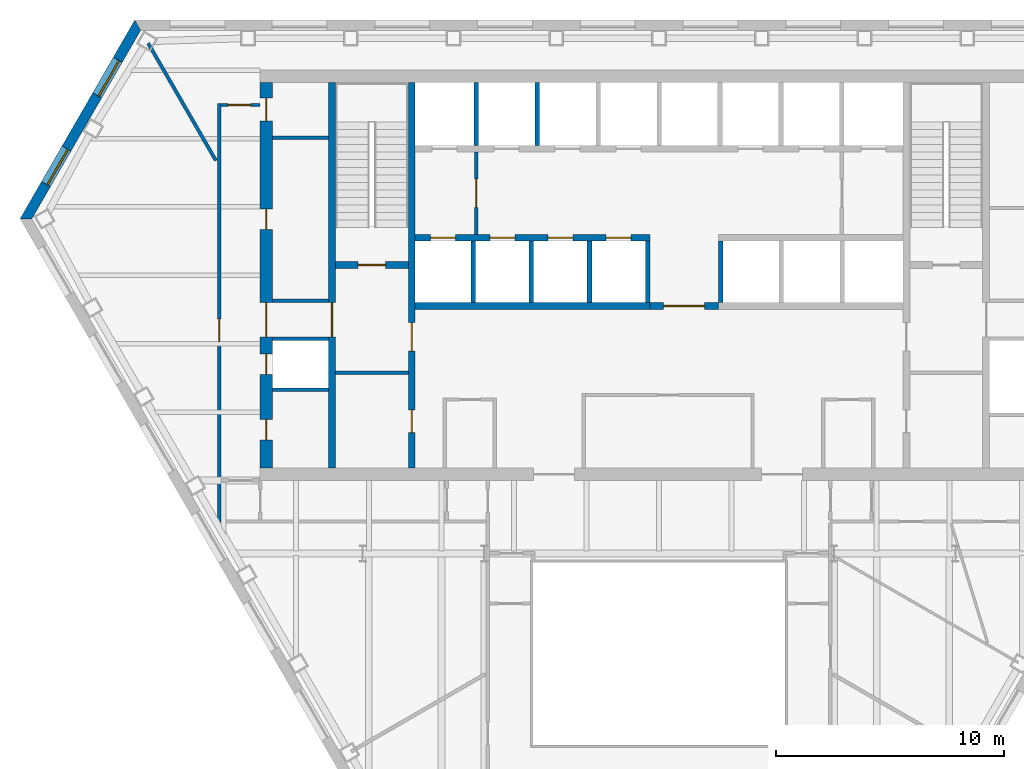
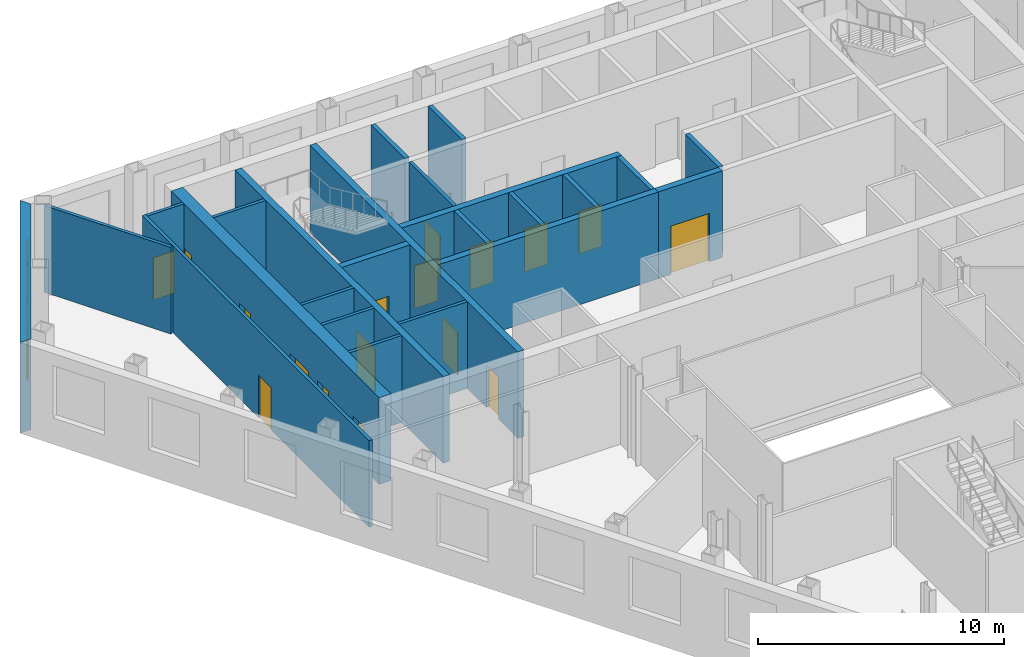
# One storey, part 6 of 11: 24 walls, 17 doors, 2 windows, 19 openings.
"""IFC4 building model written with IfcOpenShell, lengths in metres."""

from ifc_helpers import new_model, si_unit, direction, frame, frame_2d, origin, place, context, subcontext, project, spatial, polyline, rectangle, outline, extrude, material, layer, layer_set, type_object, element, fill, save


model = new_model("IFC4")

# Units and contexts
model_context = context("Model", 3, precision=1e-05, world=origin(), true_north=direction((0.0, 1.0)))
body_context = subcontext(model_context, "Body", "Model", "MODEL_VIEW")
ifc_project = project(units=[si_unit("LENGTHUNIT", "METRE"), si_unit("AREAUNIT", "SQUARE_METRE"), si_unit("VOLUMEUNIT", "CUBIC_METRE"), si_unit("PLANEANGLEUNIT", "RADIAN"), si_unit("MASSUNIT", "GRAM", prefix="KILO")], contexts=[model_context])

# Site, building, storey
site_placement = place(None, origin())
site = spatial("IfcSite", under=ifc_project, at=site_placement, CompositionType="ELEMENT")
building_placement = place(site_placement, origin())
building = spatial("IfcBuilding", under=site, at=building_placement, Name="Njiva Tower", CompositionType="ELEMENT")
storey_placement = place(building_placement, frame((0.0, 0.0, 102.3)))
storey = spatial("IfcBuildingStorey", under=building, at=storey_placement, Name="L21", CompositionType="ELEMENT", Elevation=102.3)

# Walls
ifc_material_1 = material(Name="Blockwork", Category="masonry")
ifc_layer_1 = layer(ifc_material_1, 0.15)
ifc_layer_set_1 = layer_set([ifc_layer_1], Name="Blockwork")
wall_type_1 = type_object("IfcWallType", Name="WT1 Compartment partition 150", PredefinedType="PARTITIONING", material=ifc_layer_set_1)
wall_1_placement = place(storey_placement, frame((-14.2, 4.725, 0.0), z_axis=(0.0, 0.0, 1.0), x_axis=(1.0, 0.0, 0.0)))
element("IfcWall", 1, at=wall_1_placement, inside=storey, type_object=wall_type_1, Name="Room wall A", PredefinedType="PARTITIONING", context=body_context, shape_type="SweptSolid", body=[
    extrude(rectangle(XDim=3.2, YDim=0.15, at=frame_2d((1.6, 0.0))), origin(), (0.0, 0.0, 1.0), 4.3),
])
wall_2_placement = place(storey_placement, frame((-16.95, 15.0294, 0.0), z_axis=(0.0, 0.0, 1.0), x_axis=(1.0, 0.0, 0.0)))
element("IfcWall", 2, at=wall_2_placement, inside=storey, type_object=wall_type_1, Name="Partition strip W10", PredefinedType="PARTITIONING", context=body_context, shape_type="SweptSolid", body=[
    extrude(rectangle(XDim=2.45, YDim=0.15, at=frame_2d((1.225, 0.0))), origin(), (0.0, 0.0, 1.0), 4.3),
])

# Wall, openings, doors
ifc_material_2 = material(Name="Concrete C40/50", Category="concrete")
ifc_layer_2 = layer(ifc_material_2, 0.3)
ifc_layer_set_2 = layer_set([ifc_layer_2], Name="Concrete C40/50")
wall_type_2 = type_object("IfcWallType", Name="WT10 Stair enclosure wall 300", PredefinedType="SHEAR", material=ifc_layer_set_2)
wall_3_placement = place(storey_placement, frame((-10.85, 0.55, 0.0), z_axis=(0.0, 0.0, 1.0), x_axis=(0.0, 1.0, 0.0)))
wall_3 = element("IfcWall", 3, at=wall_3_placement, inside=storey, type_object=wall_type_2, Name="Stair wall west inner", PredefinedType="SHEAR", context=body_context, shape_type="SweptSolid", body=[
    extrude(rectangle(XDim=16.9, YDim=0.3, at=frame_2d((8.45, 0.0))), origin(), (0.0, 0.0, 1.0), 4.3),
])
opening_1_placement = place(wall_3_placement, frame((5.125, 0.0, 0.0)))
opening_1 = element("IfcOpeningElement", 4, at=opening_1_placement, cuts=wall_3, Name="Opening S07-D914", PredefinedType="OPENING", context=body_context, shape_type="SweptSolid", body=[
    extrude(rectangle(XDim=1.25, YDim=2.1, at=frame_2d((0.625, 1.05))), frame((0.0, 0.16, 0.0), z_axis=(0.0, -1.0, 0.0), x_axis=(1.0, 0.0, 0.0)), (0.0, 0.0, 1.0), 0.32),
])
opening_2_placement = place(wall_3_placement, frame((1.55, 0.0, 0.0)))
opening_2 = element("IfcOpeningElement", 5, at=opening_2_placement, cuts=wall_3, Name="Opening S07-D915", PredefinedType="OPENING", context=body_context, shape_type="SweptSolid", body=[
    extrude(rectangle(XDim=1.0, YDim=2.1, at=frame_2d((0.5, 1.05))), frame((0.0, 0.16, 0.0), z_axis=(0.0, -1.0, 0.0), x_axis=(1.0, 0.0, 0.0)), (0.0, 0.0, 1.0), 0.32),
])
ifc_material_3 = material(Name="Steel door, painted", Category="steel")
door_type_1 = type_object("IfcDoorType", Name="D5 Steel door 1000x2100", OperationType="SINGLE_SWING_LEFT", PredefinedType="DOOR", material=ifc_material_3)
door_1_placement = place(opening_2_placement, origin())
door_1 = element("IfcDoor", 6, at=door_1_placement, inside=storey, type_object=door_type_1, Name="Meeting room door", OperationType="SINGLE_SWING_RIGHT", OverallHeight=2.1, OverallWidth=1.0, PredefinedType="DOOR", context=body_context, shape_type="SweptSolid", body=[
    extrude(rectangle(XDim=1.0, YDim=2.1, at=frame_2d((0.5, 1.05))), frame((0.0, 0.025, 0.0), z_axis=(0.0, -1.0, 0.0), x_axis=(1.0, 0.0, 0.0)), (0.0, 0.0, 1.0), 0.05),
])
fill(opening_2, door_1)
ifc_material_4 = material(Name="Glazed steel fire door", Category="steel")
door_type_2 = type_object("IfcDoorType", Name="D8 Vestibule corridor door 1250x2100 glazed", OperationType="SINGLE_SWING_LEFT", PredefinedType="DOOR", material=ifc_material_4)
door_2_placement = place(opening_1_placement, origin())
door_2 = element("IfcDoor", 7, at=door_2_placement, inside=storey, type_object=door_type_2, Name="Stair vestibule corridor door", OperationType="SINGLE_SWING_LEFT", OverallHeight=2.1, OverallWidth=1.25, PredefinedType="DOOR", context=body_context, shape_type="SweptSolid", body=[
    extrude(rectangle(XDim=1.25, YDim=2.1, at=frame_2d((0.625, 1.05))), frame((0.0, 0.025, 0.0), z_axis=(0.0, -1.0, 0.0), x_axis=(1.0, 0.0, 0.0)), (0.0, 0.0, 1.0), 0.05),
])
fill(opening_1, door_2)

# Wall, opening, door
wall_4_placement = place(storey_placement, frame((-14.35, 0.55, 0.0), z_axis=(0.0, 0.0, 1.0), x_axis=(0.0, 1.0, 0.0)))
wall_4 = element("IfcWall", 8, at=wall_4_placement, inside=storey, type_object=wall_type_2, Name="Stair wall west outer", PredefinedType="SHEAR", context=body_context, shape_type="SweptSolid", body=[
    extrude(rectangle(XDim=16.9, YDim=0.3, at=frame_2d((8.45, 0.0))), origin(), (0.0, 0.0, 1.0), 4.3),
])
opening_3_placement = place(wall_4_placement, frame((5.75, 0.0, 0.0)))
opening_3 = element("IfcOpeningElement", 9, at=opening_3_placement, cuts=wall_4, Name="Opening S07-D920", PredefinedType="OPENING", context=body_context, shape_type="SweptSolid", body=[
    extrude(rectangle(XDim=1.5, YDim=2.1, at=frame_2d((0.75, 1.05))), frame((0.0, 0.16, 0.0), z_axis=(0.0, -1.0, 0.0), x_axis=(1.0, 0.0, 0.0)), (0.0, 0.0, 1.0), 0.32),
])
door_type_3 = type_object("IfcDoorType", Name="D10 Exit door double 1500x2100 glazed", OperationType="DOUBLE_DOOR_SINGLE_SWING", PredefinedType="DOOR", material=ifc_material_4)
door_3_placement = place(opening_3_placement, origin())
door_3 = element("IfcDoor", 10, at=door_3_placement, inside=storey, type_object=door_type_3, Name="Stair A passage door", OperationType="DOUBLE_DOOR_SINGLE_SWING", OverallHeight=2.1, OverallWidth=1.5, PredefinedType="DOOR", context=body_context, shape_type="SweptSolid", body=[
    extrude(rectangle(XDim=1.5, YDim=2.1, at=frame_2d((0.75, 1.05))), frame((0.0, 0.025, 0.0), z_axis=(0.0, -1.0, 0.0), x_axis=(1.0, 0.0, 0.0)), (0.0, 0.0, 1.0), 0.05),
])
fill(opening_3, door_3)

wall_5_placement = place(storey_placement, frame((-14.2, 9.45, 0.0), z_axis=(0.0, 0.0, 1.0), x_axis=(1.0, 0.0, 0.0)))
wall_5 = element("IfcWall", 11, at=wall_5_placement, inside=storey, type_object=wall_type_2, Name="Stair A south wall", PredefinedType="SHEAR", context=body_context, shape_type="SweptSolid", body=[
    extrude(rectangle(XDim=3.2, YDim=0.3, at=frame_2d((1.6, 0.0))), origin(), (0.0, 0.0, 1.0), 4.3),
])
opening_4_placement = place(wall_5_placement, frame((1.0, 0.0, 0.0)))
opening_4 = element("IfcOpeningElement", 12, at=opening_4_placement, cuts=wall_5, Name="Opening S07-D913", PredefinedType="OPENING", context=body_context, shape_type="SweptSolid", body=[
    extrude(rectangle(XDim=1.2, YDim=2.1, at=frame_2d((0.6, 1.05))), frame((0.0, 0.16, 0.0), z_axis=(0.0, -1.0, 0.0), x_axis=(1.0, 0.0, 0.0)), (0.0, 0.0, 1.0), 0.32),
])
door_type_4 = type_object("IfcDoorType", Name="D7 Stair vestibule door 1200x2100 glazed", OperationType="SINGLE_SWING_LEFT", PredefinedType="DOOR", material=ifc_material_4)
door_4_placement = place(opening_4_placement, origin())
door_4 = element("IfcDoor", 13, at=door_4_placement, inside=storey, type_object=door_type_4, Name="Stair A door", OperationType="SINGLE_SWING_LEFT", OverallHeight=2.1, OverallWidth=1.2, PredefinedType="DOOR", context=body_context, shape_type="SweptSolid", body=[
    extrude(rectangle(XDim=1.2, YDim=2.1, at=frame_2d((0.6, 1.05))), frame((0.0, 0.025, 0.0), z_axis=(0.0, -1.0, 0.0), x_axis=(1.0, 0.0, 0.0)), (0.0, 0.0, 1.0), 0.05),
])
fill(opening_4, door_4)

# Wall, openings, doors
ifc_material_5 = material(Name="Concrete C60/75", Category="concrete")
ifc_layer_3 = layer(ifc_material_5, 0.55)
ifc_layer_set_3 = layer_set([ifc_layer_3], Name="Concrete C60/75")
wall_type_3 = type_object("IfcWallType", Name="WT14 Core wall 550", PredefinedType="SHEAR", material=ifc_layer_set_3)
wall_6_placement = place(storey_placement, frame((-17.225, 0.55, 0.0), z_axis=(0.0, 0.0, 1.0), x_axis=(0.0, 1.0, 0.0)))
wall_6 = element("IfcWall", 14, at=wall_6_placement, inside=storey, type_object=wall_type_3, Name="Core wall west", PredefinedType="SHEAR", context=body_context, shape_type="SweptSolid", body=[
    extrude(rectangle(XDim=16.9, YDim=0.55, at=frame_2d((8.45, 0.0))), origin(), (0.0, 0.0, 1.0), 4.3),
])
opening_5_placement = place(wall_6_placement, frame((5.75, 0.0, 0.0)))
opening_5 = element("IfcOpeningElement", 15, at=opening_5_placement, cuts=wall_6, Name="Opening S07-D921", PredefinedType="OPENING", context=body_context, shape_type="SweptSolid", body=[
    extrude(rectangle(XDim=1.5, YDim=2.1, at=frame_2d((0.75, 1.05))), frame((0.0, 0.285, 0.0), z_axis=(0.0, -1.0, 0.0), x_axis=(1.0, 0.0, 0.0)), (0.0, 0.0, 1.0), 0.57),
])
opening_6_placement = place(wall_6_placement, frame((1.2299, 0.0, 0.0)))
opening_6 = element("IfcOpeningElement", 16, at=opening_6_placement, cuts=wall_6, Name="Opening S07-D922", PredefinedType="OPENING", context=body_context, shape_type="SweptSolid", body=[
    extrude(rectangle(XDim=0.9, YDim=2.1, at=frame_2d((0.45, 1.05))), frame((0.0, 0.285, 0.0), z_axis=(0.0, -1.0, 0.0), x_axis=(1.0, 0.0, 0.0)), (0.0, 0.0, 1.0), 0.57),
])
opening_7_placement = place(wall_6_placement, frame((4.1049, 0.0, 0.0)))
opening_7 = element("IfcOpeningElement", 17, at=opening_7_placement, cuts=wall_6, Name="Opening S07-D923", PredefinedType="OPENING", context=body_context, shape_type="SweptSolid", body=[
    extrude(rectangle(XDim=0.9, YDim=2.1, at=frame_2d((0.45, 1.05))), frame((0.0, 0.285, 0.0), z_axis=(0.0, -1.0, 0.0), x_axis=(1.0, 0.0, 0.0)), (0.0, 0.0, 1.0), 0.57),
])
opening_8_placement = place(wall_6_placement, frame((10.4522, 0.0, 0.0)))
opening_8 = element("IfcOpeningElement", 18, at=opening_8_placement, cuts=wall_6, Name="Opening S07-D924", PredefinedType="OPENING", context=body_context, shape_type="SweptSolid", body=[
    extrude(rectangle(XDim=0.9, YDim=2.1, at=frame_2d((0.45, 1.05))), frame((0.0, 0.285, 0.0), z_axis=(0.0, -1.0, 0.0), x_axis=(1.0, 0.0, 0.0)), (0.0, 0.0, 1.0), 0.57),
])
opening_9_placement = place(wall_6_placement, frame((15.2272, 0.0, 0.0)))
opening_9 = element("IfcOpeningElement", 19, at=opening_9_placement, cuts=wall_6, Name="Opening S07-D925", PredefinedType="OPENING", context=body_context, shape_type="SweptSolid", body=[
    extrude(rectangle(XDim=1.0, YDim=2.1, at=frame_2d((0.5, 1.05))), frame((0.0, 0.285, 0.0), z_axis=(0.0, -1.0, 0.0), x_axis=(1.0, 0.0, 0.0)), (0.0, 0.0, 1.0), 0.57),
])
door_5_placement = place(opening_5_placement, origin())
door_5 = element("IfcDoor", 20, at=door_5_placement, inside=storey, type_object=door_type_3, Name="Stair A corridor door", OperationType="DOUBLE_DOOR_SINGLE_SWING", OverallHeight=2.1, OverallWidth=1.5, PredefinedType="DOOR", context=body_context, shape_type="SweptSolid", body=[
    extrude(rectangle(XDim=1.5, YDim=2.1, at=frame_2d((0.75, 1.05))), frame((0.0, 0.025, 0.0), z_axis=(0.0, -1.0, 0.0), x_axis=(1.0, 0.0, 0.0)), (0.0, 0.0, 1.0), 0.05),
])
fill(opening_5, door_5)
door_type_5 = type_object("IfcDoorType", Name="D4 Riser door 900x2100", OperationType="SINGLE_SWING_LEFT", PredefinedType="DOOR", material=ifc_material_3)
door_6_placement = place(opening_7_placement, origin())
door_6 = element("IfcDoor", 21, at=door_6_placement, inside=storey, type_object=door_type_5, Name="Riser door", OperationType="SINGLE_SWING_RIGHT", OverallHeight=2.1, OverallWidth=0.9, PredefinedType="DOOR", context=body_context, shape_type="SweptSolid", body=[
    extrude(rectangle(XDim=0.9, YDim=2.1, at=frame_2d((0.45, 1.05))), frame((0.0, 0.025, 0.0), z_axis=(0.0, -1.0, 0.0), x_axis=(1.0, 0.0, 0.0)), (0.0, 0.0, 1.0), 0.05),
])
fill(opening_7, door_6)
door_7_placement = place(opening_9_placement, origin())
door_7 = element("IfcDoor", 22, at=door_7_placement, inside=storey, type_object=door_type_1, Name="Electrical room door", OperationType="SINGLE_SWING_RIGHT", OverallHeight=2.1, OverallWidth=1.0, PredefinedType="DOOR", context=body_context, shape_type="SweptSolid", body=[
    extrude(rectangle(XDim=1.0, YDim=2.1, at=frame_2d((0.5, 1.05))), frame((0.0, 0.025, 0.0), z_axis=(0.0, -1.0, 0.0), x_axis=(1.0, 0.0, 0.0)), (0.0, 0.0, 1.0), 0.05),
])
fill(opening_9, door_7)
ifc_material_6 = material(Name="Steel fire door, painted", Category="steel")
door_type_6 = type_object("IfcDoorType", Name="D6 Fire-rated door 900x2100", OperationType="SINGLE_SWING_LEFT", PredefinedType="DOOR", material=ifc_material_6)
door_8_placement = place(opening_6_placement, origin())
door_8 = element("IfcDoor", 23, at=door_8_placement, inside=storey, type_object=door_type_6, Name="Business centre door", OperationType="SINGLE_SWING_LEFT", OverallHeight=2.1, OverallWidth=0.9, PredefinedType="DOOR", context=body_context, shape_type="SweptSolid", body=[
    extrude(rectangle(XDim=0.9, YDim=2.1, at=frame_2d((0.45, 1.05))), frame((0.0, 0.025, 0.0), z_axis=(0.0, -1.0, 0.0), x_axis=(1.0, 0.0, 0.0)), (0.0, 0.0, 1.0), 0.05),
])
fill(opening_6, door_8)
door_9_placement = place(opening_8_placement, origin())
door_9 = element("IfcDoor", 24, at=door_9_placement, inside=storey, type_object=door_type_6, Name="Meeting room door", OperationType="SINGLE_SWING_RIGHT", OverallHeight=2.1, OverallWidth=0.9, PredefinedType="DOOR", context=body_context, shape_type="SweptSolid", body=[
    extrude(rectangle(XDim=0.9, YDim=2.1, at=frame_2d((0.45, 1.05))), frame((0.0, 0.025, 0.0), z_axis=(0.0, -1.0, 0.0), x_axis=(1.0, 0.0, 0.0)), (0.0, 0.0, 1.0), 0.05),
])
fill(opening_8, door_9)

# Wall, opening, door
ifc_layer_4 = layer(ifc_material_1, 0.15)
ifc_layer_set_4 = layer_set([ifc_layer_4], Name="Blockwork")
wall_type_4 = type_object("IfcWallType", Name="WT2 Lobby partition 150", PredefinedType="PARTITIONING", material=ifc_layer_set_4)
wall_7_placement = place(storey_placement, frame((-8.025, 10.8, 0.0), z_axis=(0.0, 0.0, 1.0), x_axis=(0.0, 1.0, 0.0)))
wall_7 = element("IfcWall", 25, at=wall_7_placement, inside=storey, type_object=wall_type_4, Name="Firefighting lobby wall A", PredefinedType="PARTITIONING", context=body_context, shape_type="SweptSolid", body=[
    extrude(rectangle(XDim=3.6, YDim=0.15, at=frame_2d((1.8, 0.0))), origin(), (0.0, 0.0, 1.0), 4.3),
])
opening_10_placement = place(wall_7_placement, frame((1.175, 0.0, 0.0)))
opening_10 = element("IfcOpeningElement", 26, at=opening_10_placement, cuts=wall_7, Name="Opening S07-D912", PredefinedType="OPENING", context=body_context, shape_type="SweptSolid", body=[
    extrude(rectangle(XDim=1.25, YDim=2.1, at=frame_2d((0.625, 1.05))), frame((0.0, 0.085, 0.0), z_axis=(0.0, -1.0, 0.0), x_axis=(1.0, 0.0, 0.0)), (0.0, 0.0, 1.0), 0.17),
])
door_10_placement = place(opening_10_placement, origin())
door_10 = element("IfcDoor", 27, at=door_10_placement, inside=storey, type_object=door_type_2, Name="Stair vestibule corridor door", OperationType="SINGLE_SWING_RIGHT", OverallHeight=2.1, OverallWidth=1.25, PredefinedType="DOOR", context=body_context, shape_type="SweptSolid", body=[
    extrude(rectangle(XDim=1.25, YDim=2.1, at=frame_2d((0.625, 1.05))), frame((0.0, 0.025, 0.0), z_axis=(0.0, -1.0, 0.0), x_axis=(1.0, 0.0, 0.0)), (0.0, 0.0, 1.0), 0.05),
])
fill(opening_10, door_10)

# Wall
ifc_material_7 = material(Name="Gypsum board on steel studs", Category="gypsum")
ifc_layer_5 = layer(ifc_material_7, 0.15)
ifc_layer_set_5 = layer_set([ifc_layer_5], Name="Gypsum board on steel studs")
wall_type_5 = type_object("IfcWallType", Name="WT21 Compartment wall 150", PredefinedType="PARTITIONING", material=ifc_layer_set_5)
wall_8_placement = place(storey_placement, frame((-22.411, 19.18, 0.0), z_axis=(0.0, 0.0, 1.0), x_axis=(0.499921522108, -0.866070708276, 0.0)))
element("IfcWall", 28, at=wall_8_placement, inside=storey, type_object=wall_type_5, Name="Partition S07-P001", PredefinedType="PARTITIONING", context=body_context, shape_type="SweptSolid", body=[
    extrude(rectangle(XDim=5.9429, YDim=0.15, at=frame_2d((2.9714, 0.0))), origin(), (0.0, 0.0, 1.0), 4.3),
])

# Wall, opening, door
wall_9_placement = place(storey_placement, frame((-19.3, -1.875, 0.0), z_axis=(0.0, 0.0, 1.0), x_axis=(0.0, 1.0, 0.0)))
wall_9 = element("IfcWall", 29, at=wall_9_placement, inside=storey, type_object=wall_type_5, Name="Partition S07-P002", PredefinedType="PARTITIONING", context=body_context, shape_type="SweptSolid", body=[
    extrude(rectangle(XDim=18.422, YDim=0.15, at=frame_2d((9.211, 0.0))), origin(), (0.0, 0.0, 1.0), 4.3),
])
opening_11_placement = place(wall_9_placement, frame((7.964, 0.0, 0.0)))
opening_11 = element("IfcOpeningElement", 30, at=opening_11_placement, cuts=wall_9, Name="Opening S07-D001", PredefinedType="OPENING", context=body_context, shape_type="SweptSolid", body=[
    extrude(rectangle(XDim=1.0, YDim=2.1, at=frame_2d((0.5, 1.05))), frame((0.0, 0.085, 0.0), z_axis=(0.0, -1.0, 0.0), x_axis=(1.0, 0.0, 0.0)), (0.0, 0.0, 1.0), 0.17),
])
ifc_material_8 = material(Name="Steel fire door set", Category="steel")
door_type_7 = type_object("IfcDoorType", Name="D37 Fire door 1000x2100", OperationType="SINGLE_SWING_LEFT", PredefinedType="DOOR", material=ifc_material_8)
door_11_placement = place(opening_11_placement, origin())
door_11 = element("IfcDoor", 31, at=door_11_placement, inside=storey, type_object=door_type_7, Name="Door S07-D001", OperationType="SINGLE_SWING_RIGHT", OverallHeight=2.1, OverallWidth=1.0, PredefinedType="DOOR", context=body_context, shape_type="SweptSolid", body=[
    extrude(rectangle(XDim=1.0, YDim=2.1, at=frame_2d((0.5, 1.05))), frame((0.0, 0.025, 0.0), z_axis=(0.0, -1.0, 0.0), x_axis=(1.0, 0.0, 0.0)), (0.0, 0.0, 1.0), 0.05),
])
fill(opening_11, door_11)

wall_10_placement = place(storey_placement, frame((-19.225, 16.472, 0.0), z_axis=(0.0, 0.0, 1.0), x_axis=(1.0, 0.0, 0.0)))
wall_10 = element("IfcWall", 32, at=wall_10_placement, inside=storey, type_object=wall_type_5, Name="Partition S07-P005", PredefinedType="PARTITIONING", context=body_context, shape_type="SweptSolid", body=[
    extrude(rectangle(XDim=1.725, YDim=0.15, at=frame_2d((0.8625, 0.0))), origin(), (0.0, 0.0, 1.0), 4.3),
])
opening_12_placement = place(wall_10_placement, frame((0.308, 0.0, 0.0)))
opening_12 = element("IfcOpeningElement", 33, at=opening_12_placement, cuts=wall_10, Name="Opening S07-D003", PredefinedType="OPENING", context=body_context, shape_type="SweptSolid", body=[
    extrude(rectangle(XDim=1.0, YDim=2.1, at=frame_2d((0.5, 1.05))), frame((0.0, 0.085, 0.0), z_axis=(0.0, -1.0, 0.0), x_axis=(1.0, 0.0, 0.0)), (0.0, 0.0, 1.0), 0.17),
])
door_12_placement = place(opening_12_placement, origin())
door_12 = element("IfcDoor", 34, at=door_12_placement, inside=storey, type_object=door_type_7, Name="Door S07-D003", OperationType="SINGLE_SWING_RIGHT", OverallHeight=2.1, OverallWidth=1.0, PredefinedType="DOOR", context=body_context, shape_type="SweptSolid", body=[
    extrude(rectangle(XDim=1.0, YDim=2.1, at=frame_2d((0.5, 1.05))), frame((0.0, 0.025, 0.0), z_axis=(0.0, -1.0, 0.0), x_axis=(1.0, 0.0, 0.0)), (0.0, 0.0, 1.0), 0.05),
])
fill(opening_12, door_12)

# Walls
ifc_layer_6 = layer(ifc_material_1, 0.15)
ifc_layer_set_6 = layer_set([ifc_layer_6], Name="Blockwork")
wall_type_6 = type_object("IfcWallType", Name="WT3 Riser partition 150", PredefinedType="PARTITIONING", material=ifc_layer_set_6)
wall_11_placement = place(storey_placement, frame((-16.95, 3.9848, 0.0), z_axis=(0.0, 0.0, 1.0), x_axis=(1.0, 0.0, 0.0)))
element("IfcWall", 35, at=wall_11_placement, inside=storey, type_object=wall_type_6, Name="Partition strip W00", PredefinedType="PARTITIONING", context=body_context, shape_type="SweptSolid", body=[
    extrude(rectangle(XDim=2.45, YDim=0.15, at=frame_2d((1.225, 0.0))), origin(), (0.0, 0.0, 1.0), 4.3),
])
ifc_layer_7 = layer(ifc_material_1, 0.15)
ifc_layer_set_7 = layer_set([ifc_layer_7], Name="Blockwork")
wall_type_7 = type_object("IfcWallType", Name="WT4 Stair partition 150", PredefinedType="PARTITIONING", material=ifc_layer_set_7)
for number, where, z_axis, x_axis, name in (
    (36, (-16.95, 6.225, 0.0), (0.0, 0.0, 1.0), (1.0, 0.0, 0.0), "Stair A exit passage wall south"),
    (37, (-16.95, 7.875, 0.0), (0.0, 0.0, 1.0), (1.0, 0.0, 0.0), "Stair A exit passage wall north"),
):
    element("IfcWall", number, at=place(storey_placement, frame(where, z_axis=z_axis, x_axis=x_axis)), inside=storey, type_object=wall_type_7, Name=name, PredefinedType="PARTITIONING", context=body_context, shape_type="SweptSolid", body=[
        extrude(rectangle(XDim=2.45, YDim=0.15, at=frame_2d((1.225, 0.0))), origin(), (0.0, 0.0, 1.0), 4.3),
    ])

# Wall, opening, door
ifc_layer_8 = layer(ifc_material_1, 0.3)
ifc_layer_set_8 = layer_set([ifc_layer_8], Name="Blockwork")
wall_type_8 = type_object("IfcWallType", Name="WT5 Lobby partition 300", PredefinedType="PARTITIONING", material=ifc_layer_set_8)
wall_12_placement = place(storey_placement, frame((-0.4, 7.65, 0.0), z_axis=(0.0, 0.0, 1.0), x_axis=(1.0, 0.0, 0.0)))
wall_12 = element("IfcWall", 38, at=wall_12_placement, inside=storey, type_object=wall_type_8, Name="Lift lobby screen wall", PredefinedType="PARTITIONING", context=body_context, shape_type="SweptSolid", body=[
    extrude(rectangle(XDim=3.0, YDim=0.3, at=frame_2d((1.5, 0.0))), origin(), (0.0, 0.0, 1.0), 4.3),
])
opening_13_placement = place(wall_12_placement, frame((0.6, 0.0, 0.0)))
opening_13 = element("IfcOpeningElement", 39, at=opening_13_placement, cuts=wall_12, Name="Opening S07-D935", PredefinedType="OPENING", context=body_context, shape_type="SweptSolid", body=[
    extrude(rectangle(XDim=1.8, YDim=2.4, at=frame_2d((0.9, 1.2))), frame((0.0, 0.16, 0.0), z_axis=(0.0, -1.0, 0.0), x_axis=(1.0, 0.0, 0.0)), (0.0, 0.0, 1.0), 0.32),
])
ifc_material_9 = material(Name="Steel and glass door", Category="steel")
door_type_8 = type_object("IfcDoorType", Name="D3 Core entrance door 1800x2400", OperationType="DOUBLE_DOOR_SINGLE_SWING", PredefinedType="DOOR", material=ifc_material_9)
door_13_placement = place(opening_13_placement, origin())
door_13 = element("IfcDoor", 40, at=door_13_placement, inside=storey, type_object=door_type_8, Name="Core entrance door", OperationType="DOUBLE_DOOR_SINGLE_SWING", OverallHeight=2.4, OverallWidth=1.8, PredefinedType="DOOR", context=body_context, shape_type="SweptSolid", body=[
    extrude(rectangle(XDim=1.8, YDim=2.4, at=frame_2d((0.9, 1.2))), frame((0.0, 0.025, 0.0), z_axis=(0.0, -1.0, 0.0), x_axis=(1.0, 0.0, 0.0)), (0.0, 0.0, 1.0), 0.05),
])
fill(opening_13, door_13)

# Walls
ifc_layer_9 = layer(ifc_material_2, 0.2)
ifc_layer_set_9 = layer_set([ifc_layer_9], Name="Concrete C40/50")
wall_type_9 = type_object("IfcWallType", Name="WT6 Lift shaft wall 200", PredefinedType="SHEAR", material=ifc_layer_set_9)
for number, where, z_axis, x_axis, name in (
    (41, (-8.025, 14.7, 0.0), (0.0, 0.0, 1.0), (0.0, 1.0, 0.0), "Shaft wall CN1"),
    (42, (-5.35, 14.7, 0.0), (0.0, 0.0, 1.0), (0.0, 1.0, 0.0), "Shaft wall CN2"),
):
    element("IfcWall", number, at=place(storey_placement, frame(where, z_axis=z_axis, x_axis=x_axis)), inside=storey, type_object=wall_type_9, Name=name, PredefinedType="SHEAR", context=body_context, shape_type="SweptSolid", body=[
        extrude(rectangle(XDim=2.75, YDim=0.2, at=frame_2d((1.375, 0.0))), origin(), (0.0, 0.0, 1.0), 4.3),
    ])
for number, where, z_axis, x_axis, name in (
    (43, (-8.15, 7.8, 0.0), (0.0, 0.0, 1.0), (0.0, 1.0, 0.0), "Shaft wall CS1"),
    (44, (-5.6, 7.8, 0.0), (0.0, 0.0, 1.0), (0.0, 1.0, 0.0), "Shaft wall CS2"),
    (45, (-3.05, 7.8, 0.0), (0.0, 0.0, 1.0), (0.0, 1.0, 0.0), "Shaft wall CS3"),
    (46, (-0.5, 7.8, 0.0), (0.0, 0.0, 1.0), (0.0, 1.0, 0.0), "Shaft wall CS4"),
    (47, (2.7, 7.8, 0.0), (0.0, 0.0, 1.0), (0.0, 1.0, 0.0), "Shaft wall CS5"),
):
    element("IfcWall", number, at=place(storey_placement, frame(where, z_axis=z_axis, x_axis=x_axis)), inside=storey, type_object=wall_type_9, Name=name, PredefinedType="SHEAR", context=body_context, shape_type="SweptSolid", body=[
        extrude(rectangle(XDim=2.7, YDim=0.2, at=frame_2d((1.35, 0.0))), origin(), (0.0, 0.0, 1.0), 4.3),
    ])

# Wall, openings, doors
ifc_layer_10 = layer(ifc_material_2, 0.3)
ifc_layer_set_10 = layer_set([ifc_layer_10], Name="Concrete C40/50")
wall_type_10 = type_object("IfcWallType", Name="WT7 Lift shaft wall 300", PredefinedType="SHEAR", material=ifc_layer_set_10)
wall_13_placement = place(storey_placement, frame((-10.7, 10.65, 0.0), z_axis=(0.0, 0.0, 1.0), x_axis=(1.0, 0.0, 0.0)))
wall_13 = element("IfcWall", 48, at=wall_13_placement, inside=storey, type_object=wall_type_10, Name="Shaft wall south row lobby side W", PredefinedType="SHEAR", context=body_context, shape_type="SweptSolid", body=[
    extrude(rectangle(XDim=10.3, YDim=0.3, at=frame_2d((5.15, 0.0))), origin(), (0.0, 0.0, 1.0), 4.3),
])
opening_14_placement = place(wall_13_placement, frame((0.675, 0.0, 0.0)))
opening_14 = element("IfcOpeningElement", 49, at=opening_14_placement, cuts=wall_13, Name="Opening S07-D908", PredefinedType="OPENING", context=body_context, shape_type="SweptSolid", body=[
    extrude(rectangle(XDim=1.1, YDim=2.1, at=frame_2d((0.55, 1.05))), frame((0.0, 0.16, 0.0), z_axis=(0.0, -1.0, 0.0), x_axis=(1.0, 0.0, 0.0)), (0.0, 0.0, 1.0), 0.32),
])
opening_15_placement = place(wall_13_placement, frame((3.275, 0.0, 0.0)))
opening_15 = element("IfcOpeningElement", 50, at=opening_15_placement, cuts=wall_13, Name="Opening S07-D909", PredefinedType="OPENING", context=body_context, shape_type="SweptSolid", body=[
    extrude(rectangle(XDim=1.1, YDim=2.1, at=frame_2d((0.55, 1.05))), frame((0.0, 0.16, 0.0), z_axis=(0.0, -1.0, 0.0), x_axis=(1.0, 0.0, 0.0)), (0.0, 0.0, 1.0), 0.32),
])
opening_16_placement = place(wall_13_placement, frame((5.825, 0.0, 0.0)))
opening_16 = element("IfcOpeningElement", 51, at=opening_16_placement, cuts=wall_13, Name="Opening S07-D910", PredefinedType="OPENING", context=body_context, shape_type="SweptSolid", body=[
    extrude(rectangle(XDim=1.1, YDim=2.1, at=frame_2d((0.55, 1.05))), frame((0.0, 0.16, 0.0), z_axis=(0.0, -1.0, 0.0), x_axis=(1.0, 0.0, 0.0)), (0.0, 0.0, 1.0), 0.32),
])
opening_17_placement = place(wall_13_placement, frame((8.375, 0.0, 0.0)))
opening_17 = element("IfcOpeningElement", 52, at=opening_17_placement, cuts=wall_13, Name="Opening S07-D911", PredefinedType="OPENING", context=body_context, shape_type="SweptSolid", body=[
    extrude(rectangle(XDim=1.1, YDim=2.1, at=frame_2d((0.55, 1.05))), frame((0.0, 0.16, 0.0), z_axis=(0.0, -1.0, 0.0), x_axis=(1.0, 0.0, 0.0)), (0.0, 0.0, 1.0), 0.32),
])
ifc_material_10 = material(Name="Stainless steel sliding door", Category="steel")
door_type_9 = type_object("IfcDoorType", Name="LD Lift landing door 1100x2100", OperationType="SLIDING_TO_LEFT", PredefinedType="DOOR", material=ifc_material_10)
door_14_placement = place(opening_14_placement, origin())
door_14 = element("IfcDoor", 53, at=door_14_placement, inside=storey, type_object=door_type_9, Name="Lift landing door LB4", OperationType="SLIDING_TO_LEFT", OverallHeight=2.1, OverallWidth=1.1, PredefinedType="DOOR", context=body_context, shape_type="SweptSolid", body=[
    extrude(rectangle(XDim=1.1, YDim=2.1, at=frame_2d((0.55, 1.05))), frame((0.0, 0.025, 0.0), z_axis=(0.0, -1.0, 0.0), x_axis=(1.0, 0.0, 0.0)), (0.0, 0.0, 1.0), 0.05),
])
fill(opening_14, door_14)
door_15_placement = place(opening_15_placement, origin())
door_15 = element("IfcDoor", 54, at=door_15_placement, inside=storey, type_object=door_type_9, Name="Lift landing door LB5", OperationType="SLIDING_TO_LEFT", OverallHeight=2.1, OverallWidth=1.1, PredefinedType="DOOR", context=body_context, shape_type="SweptSolid", body=[
    extrude(rectangle(XDim=1.1, YDim=2.1, at=frame_2d((0.55, 1.05))), frame((0.0, 0.025, 0.0), z_axis=(0.0, -1.0, 0.0), x_axis=(1.0, 0.0, 0.0)), (0.0, 0.0, 1.0), 0.05),
])
fill(opening_15, door_15)
door_16_placement = place(opening_16_placement, origin())
door_16 = element("IfcDoor", 55, at=door_16_placement, inside=storey, type_object=door_type_9, Name="Lift landing door LB6", OperationType="SLIDING_TO_LEFT", OverallHeight=2.1, OverallWidth=1.1, PredefinedType="DOOR", context=body_context, shape_type="SweptSolid", body=[
    extrude(rectangle(XDim=1.1, YDim=2.1, at=frame_2d((0.55, 1.05))), frame((0.0, 0.025, 0.0), z_axis=(0.0, -1.0, 0.0), x_axis=(1.0, 0.0, 0.0)), (0.0, 0.0, 1.0), 0.05),
])
fill(opening_16, door_16)
door_17_placement = place(opening_17_placement, origin())
door_17 = element("IfcDoor", 56, at=door_17_placement, inside=storey, type_object=door_type_9, Name="Lift landing door LB7", OperationType="SLIDING_TO_LEFT", OverallHeight=2.1, OverallWidth=1.1, PredefinedType="DOOR", context=body_context, shape_type="SweptSolid", body=[
    extrude(rectangle(XDim=1.1, YDim=2.1, at=frame_2d((0.55, 1.05))), frame((0.0, 0.025, 0.0), z_axis=(0.0, -1.0, 0.0), x_axis=(1.0, 0.0, 0.0)), (0.0, 0.0, 1.0), 0.05),
])
fill(opening_17, door_17)

# Wall
wall_14_placement = place(storey_placement, frame((-10.7, 7.65, 0.0), z_axis=(0.0, 0.0, 1.0), x_axis=(1.0, 0.0, 0.0)))
element("IfcWall", 57, at=wall_14_placement, inside=storey, type_object=wall_type_10, Name="Shaft wall south row back W", PredefinedType="SHEAR", context=body_context, shape_type="SweptSolid", body=[
    extrude(rectangle(XDim=10.3, YDim=0.3, at=frame_2d((5.15, 0.0))), origin(), (0.0, 0.0, 1.0), 4.3),
])

# Wall, openings, windows
ifc_material_11 = material(Name="Brick masonry, buff", Category="masonry")
ifc_layer_11 = layer(ifc_material_11, 0.45)
ifc_layer_set_11 = layer_set([ifc_layer_11], Name="Brick masonry, buff")
wall_type_11 = type_object("IfcWallType", Name="WT94 Brick pier and spandrel wall 450, buff", PredefinedType="SOLIDWALL", material=ifc_layer_set_11)
wall_15_placement = place(storey_placement, frame((-22.8701, 19.975, -0.4), z_axis=(0.0, 0.0, 1.0), x_axis=(-0.499999223869, -0.866025851883, 0.0)))
wall_15 = element("IfcWall", 58, at=wall_15_placement, inside=storey, type_object=wall_type_11, Name="Facade wall NW", PredefinedType="SOLIDWALL", context=body_context, shape_type="SweptSolid", body=[
    extrude(outline(polyline([(-0.1299, -0.225), (9.9401, -0.225), (9.6803, 0.225), (0.1299, 0.225), (-0.1299, -0.225)])), origin(), (0.0, 0.0, 1.0), 4.5),
])
opening_18_placement = place(wall_15_placement, frame((1.7569, 0.0, 1.3)))
opening_18 = element("IfcOpeningElement", 59, at=opening_18_placement, cuts=wall_15, Name="Opening S07-W10", PredefinedType="OPENING", context=body_context, shape_type="SweptSolid", body=[
    extrude(rectangle(XDim=1.8, YDim=2.6, at=frame_2d((0.9, 1.3))), frame((0.0, 0.235, 0.0), z_axis=(0.0, -1.0, 0.0), x_axis=(1.0, 0.0, 0.0)), (0.0, 0.0, 1.0), 0.47),
])
opening_19_placement = place(wall_15_placement, frame((6.2532, 0.0, 1.3)))
opening_19 = element("IfcOpeningElement", 60, at=opening_19_placement, cuts=wall_15, Name="Opening S07-W11", PredefinedType="OPENING", context=body_context, shape_type="SweptSolid", body=[
    extrude(rectangle(XDim=1.8, YDim=2.6, at=frame_2d((0.9, 1.3))), frame((0.0, 0.235, 0.0), z_axis=(0.0, -1.0, 0.0), x_axis=(1.0, 0.0, 0.0)), (0.0, 0.0, 1.0), 0.47),
])
ifc_material_12 = material(Name="Clear glazing in aluminium frame", Category="aluminium")
window_type = type_object("IfcWindowType", Name="W96 Deep-set window 1800x2600", PartitioningType="SINGLE_PANEL", PredefinedType="WINDOW", material=ifc_material_12)
window_1_placement = place(opening_18_placement, origin())
window_1 = element("IfcWindow", 61, at=window_1_placement, inside=storey, type_object=window_type, Name="Window", OverallHeight=2.6, OverallWidth=1.8, PartitioningType="SINGLE_PANEL", PredefinedType="WINDOW", context=body_context, shape_type="SweptSolid", body=[
    extrude(rectangle(XDim=1.8, YDim=2.6, at=frame_2d((0.9, 1.3))), frame((0.0, 0.105, 0.0), z_axis=(0.0, -1.0, 0.0), x_axis=(1.0, 0.0, 0.0)), (0.0, 0.0, 1.0), 0.06),
])
fill(opening_18, window_1)
window_2_placement = place(opening_19_placement, origin())
window_2 = element("IfcWindow", 62, at=window_2_placement, inside=storey, type_object=window_type, Name="Window", OverallHeight=2.6, OverallWidth=1.8, PartitioningType="SINGLE_PANEL", PredefinedType="WINDOW", context=body_context, shape_type="SweptSolid", body=[
    extrude(rectangle(XDim=1.8, YDim=2.6, at=frame_2d((0.9, 1.3))), frame((0.0, 0.105, 0.0), z_axis=(0.0, -1.0, 0.0), x_axis=(1.0, 0.0, 0.0)), (0.0, 0.0, 1.0), 0.06),
])
fill(opening_19, window_2)

save(model, "model.ifc")
